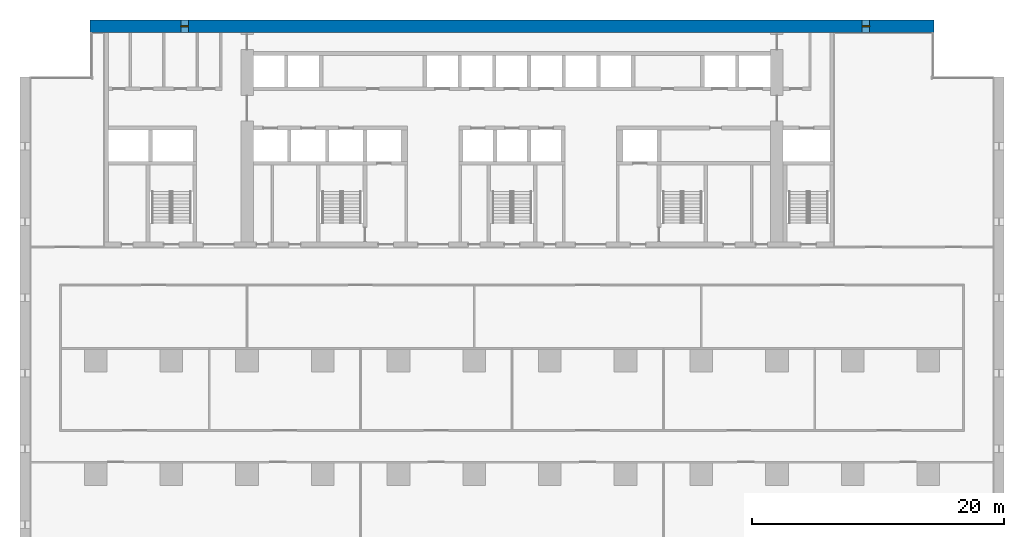
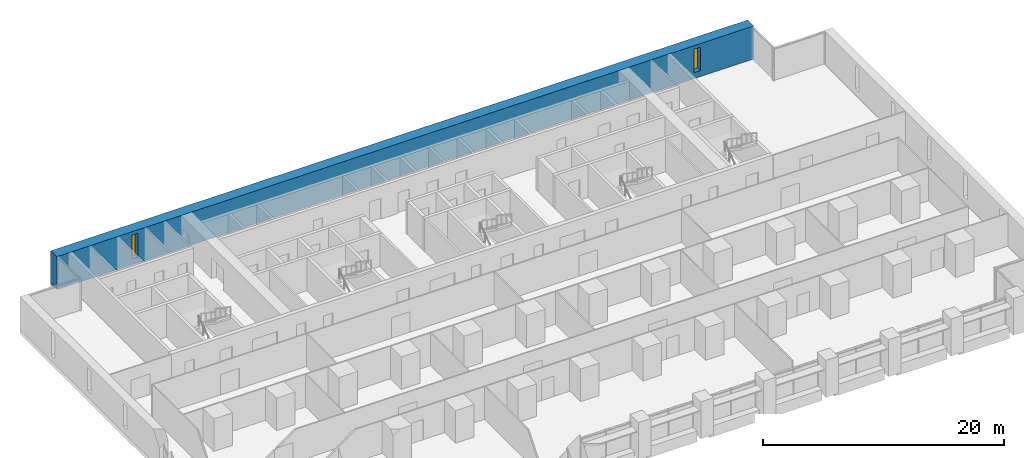
# One storey, part 12 of 18: 2 windows, 1 wall, 2 openings.
"""IFC4 building model written with IfcOpenShell, lengths in metres."""

from ifc_helpers import new_model, si_unit, direction, frame, frame_2d, origin, place, context, subcontext, project, spatial, rectangle, extrude, material, layer, layer_set, type_object, element, fill, save


model = new_model("IFC4")

# Units and contexts
model_context = context("Model", 3, precision=1e-05, world=origin(), true_north=direction((0.0, 1.0)))
body_context = subcontext(model_context, "Body", "Model", "MODEL_VIEW")
ifc_project = project(units=[si_unit("LENGTHUNIT", "METRE"), si_unit("AREAUNIT", "SQUARE_METRE"), si_unit("VOLUMEUNIT", "CUBIC_METRE"), si_unit("PLANEANGLEUNIT", "RADIAN"), si_unit("MASSUNIT", "GRAM", prefix="KILO")], contexts=[model_context])

# Site, building, storey
site_placement = place(None, origin())
site = spatial("IfcSite", under=ifc_project, at=site_placement, CompositionType="ELEMENT")
building_placement = place(site_placement, origin())
building = spatial("IfcBuilding", under=site, at=building_placement, Name="Calvaro Tower", CompositionType="ELEMENT")
storey_placement = place(building_placement, frame((0.0, 0.0, 30.0)))
storey = spatial("IfcBuildingStorey", under=building, at=storey_placement, Name="L06", CompositionType="ELEMENT", Elevation=30.0)

# Wall, openings, windows
ifc_material_1 = material(Name="Concrete C80/95", Category="concrete")
ifc_layer = layer(ifc_material_1, 1.0)
ifc_layer_set = layer_set([ifc_layer], Name="Concrete C80/95")
wall_type = type_object("IfcWallType", Name="Rear core wall 1000 C80/95", PredefinedType="SHEAR", material=ifc_layer_set)
wall_placement = place(storey_placement, frame((5.550048828125, 45.5, 0.0), z_axis=(0.0, 0.0, 1.0), x_axis=(1.0, 0.0, 0.0)))
wall = element("IfcWall", 1, at=wall_placement, inside=storey, type_object=wall_type, Name="North core wall", PredefinedType="SHEAR", context=body_context, shape_type="SweptSolid", body=[
    extrude(rectangle(XDim=66.89990234375, YDim=1.0, at=frame_2d((33.449951171875, 0.0))), origin(), (0.0, 0.0, 1.0), 3.35009765625),
])
opening_1_placement = place(wall_placement, frame((7.199951171875, 0.0, 0.60009765625)))
opening_1 = element("IfcOpeningElement", 2, at=opening_1_placement, cuts=wall, Name="Opening WN02", PredefinedType="OPENING", context=body_context, shape_type="SweptSolid", body=[
    extrude(rectangle(XDim=0.60009765625, YDim=2.39990234375, at=frame_2d((0.300048828125, 1.199951171875))), frame((0.0, 0.510009765625, 0.0), z_axis=(0.0, -1.0, 0.0), x_axis=(1.0, 0.0, 0.0)), (0.0, 0.0, 1.0), 1.02001953125),
])
opening_2_placement = place(wall_placement, frame((61.199951171875, 0.0, 0.60009765625)))
opening_2 = element("IfcOpeningElement", 3, at=opening_2_placement, cuts=wall, Name="Opening WN11", PredefinedType="OPENING", context=body_context, shape_type="SweptSolid", body=[
    extrude(rectangle(XDim=0.60009765625, YDim=2.39990234375, at=frame_2d((0.300048828125, 1.199951171875))), frame((0.0, 0.510009765625, 0.0), z_axis=(0.0, -1.0, 0.0), x_axis=(1.0, 0.0, 0.0)), (0.0, 0.0, 1.0), 1.02001953125),
])
ifc_material_2 = material(Name="Glass", Category="glass")
window_type = type_object("IfcWindowType", Name="Slit window 600 x 2400", PartitioningType="SINGLE_PANEL", PredefinedType="WINDOW", material=ifc_material_2)
window_1_placement = place(opening_1_placement, origin())
window_1 = element("IfcWindow", 4, at=window_1_placement, inside=storey, type_object=window_type, Name="Window WN02", OverallHeight=2.39990234375, OverallWidth=0.60009765625, PartitioningType="SINGLE_PANEL", PredefinedType="WINDOW", context=body_context, shape_type="SweptSolid", body=[
    extrude(rectangle(XDim=0.60009765625, YDim=2.39990234375, at=frame_2d((0.300048828125, 1.199951171875))), frame((0.0, 0.030029296875, 0.0), z_axis=(0.0, -1.0, 0.0), x_axis=(1.0, 0.0, 0.0)), (0.0, 0.0, 1.0), 0.06005859375),
])
fill(opening_1, window_1)
window_2_placement = place(opening_2_placement, origin())
window_2 = element("IfcWindow", 5, at=window_2_placement, inside=storey, type_object=window_type, Name="Window WN11", OverallHeight=2.39990234375, OverallWidth=0.60009765625, PartitioningType="SINGLE_PANEL", PredefinedType="WINDOW", context=body_context, shape_type="SweptSolid", body=[
    extrude(rectangle(XDim=0.60009765625, YDim=2.39990234375, at=frame_2d((0.300048828125, 1.199951171875))), frame((0.0, 0.030029296875, 0.0), z_axis=(0.0, -1.0, 0.0), x_axis=(1.0, 0.0, 0.0)), (0.0, 0.0, 1.0), 0.06005859375),
])
fill(opening_2, window_2)

save(model, "model.ifc")
